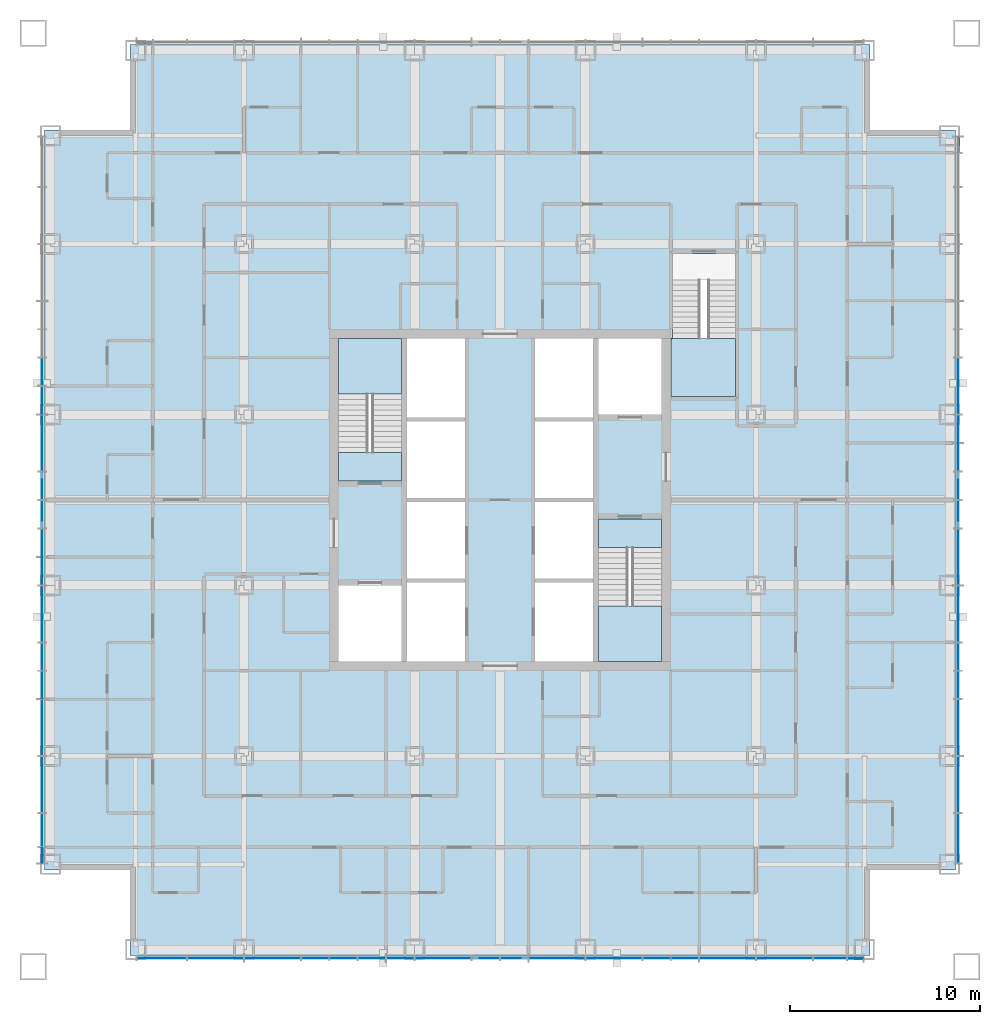
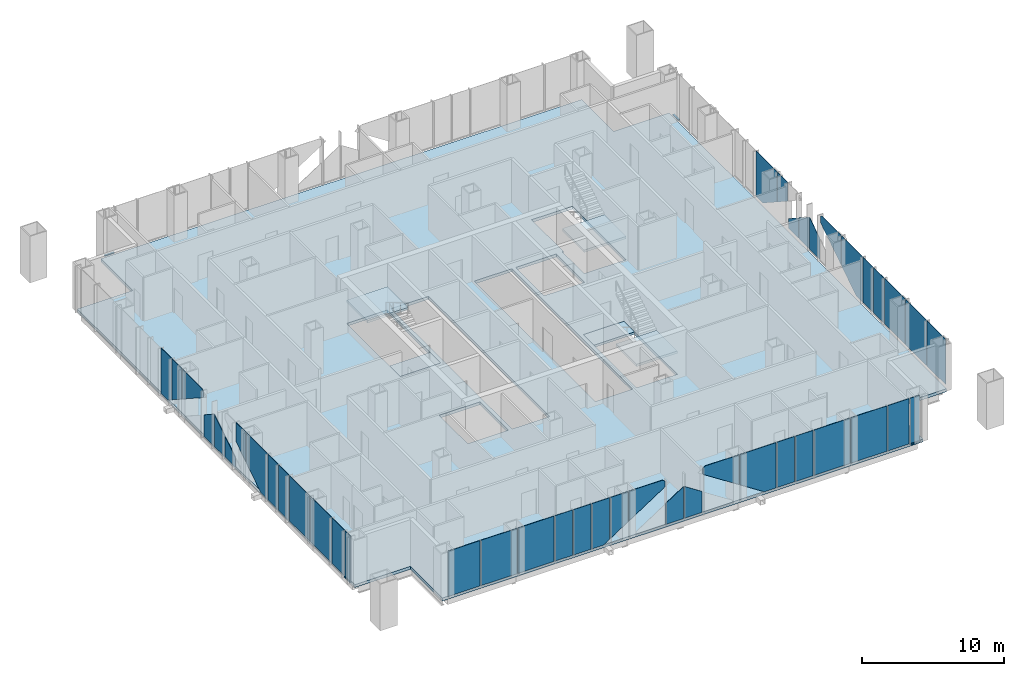
# One storey, part 7 of 16: 44 plates, 6 slabs, 4 members, 7 elements without a shape of their own.
"""IFC4 building model written with IfcOpenShell, lengths in metres."""

from ifc_helpers import new_model, si_unit, direction, frame, origin, origin_2d, place, context, subcontext, project, spatial, polyline, rectangle, outline, extrude, material, layer, layer_set, material_profile, profile_set, type_object, element, aggregate, save


model = new_model("IFC4")

# Units and contexts
model_context = context("Model", 3, precision=1e-05, world=origin(), true_north=direction((0.0, 1.0)))
body_context = subcontext(model_context, "Body", "Model", "MODEL_VIEW")
ifc_project = project(units=[si_unit("LENGTHUNIT", "METRE"), si_unit("AREAUNIT", "SQUARE_METRE"), si_unit("VOLUMEUNIT", "CUBIC_METRE"), si_unit("PLANEANGLEUNIT", "RADIAN"), si_unit("MASSUNIT", "GRAM", prefix="KILO")], contexts=[model_context])

# Site, building, storey
site_placement = place(None, origin())
site = spatial("IfcSite", under=ifc_project, at=site_placement, CompositionType="ELEMENT")
building_placement = place(site_placement, origin())
building = spatial("IfcBuilding", under=site, at=building_placement, Name="Malebo Sky Hospital", CompositionType="ELEMENT")
storey_placement = place(building_placement, frame((0.0, 0.0, 152.0)))
storey = spatial("IfcBuildingStorey", under=building, at=storey_placement, Name="L36", CompositionType="ELEMENT", Elevation=152.0)

# Curtain wall, member
ifc_material_1 = material(Name="Anodised aluminium, natural silver", Category="aluminium")
ifc_layer_1 = layer(ifc_material_1, 0.25)
ifc_layer_set_1 = layer_set([ifc_layer_1], Name="WARD CURTAIN WALL NORTH AND SOUTH")
curtain_wall_type_1 = type_object("IfcCurtainWallType", Name="WARD CURTAIN WALL NORTH AND SOUTH", PredefinedType="NOTDEFINED", material=ifc_layer_set_1)
curtain_wall_1_placement = place(storey_placement, origin())
curtain_wall_1 = element("IfcCurtainWall", 1, at=curtain_wall_1_placement, inside=storey, type_object=curtain_wall_type_1, Name="NS curtain wall N", PredefinedType="NOTDEFINED")
ifc_material_profile = material_profile(ifc_material_1, rectangle(XDim=0.14990234375, YDim=0.10009765625, at=origin_2d()), Name="ALUMINIUM TRANSOM 150x100")
ifc_profile_set = profile_set([ifc_material_profile], Name="Anodised aluminium, natural silver")
member_type = type_object("IfcMemberType", Name="ALUMINIUM TRANSOM 150x100", PredefinedType="USERDEFINED", material=ifc_profile_set)
member_1_placement = place(storey_placement, frame((40.875, 86.135009765625, 0.050048828125), z_axis=(1.0, 0.0, 0.0), x_axis=(0.0, 1.0, 0.0)))
member_1 = element("IfcMember", 2, at=member_1_placement, type_object=member_type, Name="Transom 1", ObjectType="TRANSOM", PredefinedType="USERDEFINED", context=body_context, shape_type="SweptSolid", body=[
    extrude(rectangle(XDim=0.14990234375, YDim=0.10009765625, at=origin_2d()), origin(), (0.0, 0.0, 1.0), 0.78759765625),
])
aggregate(curtain_wall_1, [member_1])

ifc_layer_2 = layer(ifc_material_1, 0.25)
ifc_layer_set_2 = layer_set([ifc_layer_2], Name="WARD CURTAIN WALL EAST AND WEST")
curtain_wall_type_2 = type_object("IfcCurtainWallType", Name="WARD CURTAIN WALL EAST AND WEST", PredefinedType="NOTDEFINED", material=ifc_layer_set_2)
curtain_wall_2_placement = place(storey_placement, origin())
curtain_wall_2 = element("IfcCurtainWall", 3, at=curtain_wall_2_placement, inside=storey, type_object=curtain_wall_type_2, Name="EW curtain wall W", PredefinedType="NOTDEFINED")
member_2_placement = place(storey_placement, frame((35.864990234375, 42.875, 0.050048828125), z_axis=(0.0, 1.0, 0.0), x_axis=(-1.0, 0.0, 0.0)))
member_2 = element("IfcMember", 4, at=member_2_placement, type_object=member_type, Name="Transom 1", ObjectType="TRANSOM", PredefinedType="USERDEFINED", context=body_context, shape_type="SweptSolid", body=[
    extrude(rectangle(XDim=0.14990234375, YDim=0.10009765625, at=origin_2d()), origin(), (0.0, 0.0, 1.0), 0.78759765625),
])

curtain_wall_3_placement = place(storey_placement, origin())
curtain_wall_3 = element("IfcCurtainWall", 5, at=curtain_wall_3_placement, inside=storey, type_object=curtain_wall_type_1, Name="NS curtain wall S", PredefinedType="NOTDEFINED")
member_3_placement = place(storey_placement, frame((79.125, 37.864990234375, 0.050048828125), z_axis=(-1.0, 0.0, 0.0), x_axis=(0.0, -1.0, 0.0)))
member_3 = element("IfcMember", 6, at=member_3_placement, type_object=member_type, Name="Transom 1", ObjectType="TRANSOM", PredefinedType="USERDEFINED", context=body_context, shape_type="SweptSolid", body=[
    extrude(rectangle(XDim=0.14990234375, YDim=0.10009765625, at=origin_2d()), origin(), (0.0, 0.0, 1.0), 0.78759765625),
])

curtain_wall_4_placement = place(storey_placement, origin())
curtain_wall_4 = element("IfcCurtainWall", 7, at=curtain_wall_4_placement, inside=storey, type_object=curtain_wall_type_2, Name="EW curtain wall E", PredefinedType="NOTDEFINED")
member_4_placement = place(storey_placement, frame((84.135009765625, 81.125, 0.050048828125), z_axis=(0.0, -1.0, 0.0), x_axis=(1.0, 0.0, 0.0)))
member_4 = element("IfcMember", 8, at=member_4_placement, type_object=member_type, Name="Transom 1", ObjectType="TRANSOM", PredefinedType="USERDEFINED", context=body_context, shape_type="SweptSolid", body=[
    extrude(rectangle(XDim=0.14990234375, YDim=0.10009765625, at=origin_2d()), origin(), (0.0, 0.0, 1.0), 0.78759765625),
])

# Slab
ifc_material_2 = material(Name="Concrete C40/50", Category="concrete")
ifc_layer_3 = layer(ifc_material_2, 0.25)
ifc_layer_set_3 = layer_set([ifc_layer_3], Name="COMPOSITE FLOOR SLAB 250")
slab_type_1 = type_object("IfcSlabType", Name="COMPOSITE FLOOR SLAB 250", PredefinedType="FLOOR", material=ifc_layer_set_3)
slab_1_placement = place(storey_placement, frame((0.0, 0.0, -0.25)))
element("IfcSlab", 9, at=slab_1_placement, inside=storey, type_object=slab_type_1, Name="Floor slab L36", PredefinedType="FLOOR", context=body_context, shape_type="SweptSolid", body=[
    extrude(outline(polyline([(40.5, 86.0), (40.5, 81.5), (36.0, 81.5), (36.0, 42.5), (40.5, 42.5), (40.5, 38.0), (79.5, 38.0), (79.5, 42.5), (84.0, 42.5), (84.0, 81.5), (79.5, 81.5), (79.5, 86.0), (40.5, 86.0)]), holes=[polyline([(55.10009765625, 70.5), (58.14990234375, 70.5), (58.14990234375, 53.5), (55.10009765625, 53.5), (55.10009765625, 70.5)]), polyline([(64.89990234375, 70.5), (64.89990234375, 53.5), (61.85009765625, 53.5), (61.85009765625, 70.5), (64.89990234375, 70.5)]), polyline([(54.800048828125, 63.0), (51.5, 63.0), (51.5, 70.5), (54.800048828125, 70.5), (54.800048828125, 63.0)]), polyline([(51.5, 53.5), (51.5, 57.5), (54.800048828125, 57.5), (54.800048828125, 53.5), (51.5, 53.5)]), polyline([(65.199951171875, 61.0), (68.5, 61.0), (68.5, 53.5), (65.199951171875, 53.5), (65.199951171875, 61.0)]), polyline([(68.5, 70.5), (68.5, 66.5), (65.199951171875, 66.5), (65.199951171875, 70.5), (68.5, 70.5)]), polyline([(69.0, 67.449951171875), (69.0, 70.52001953125), (69.10009765625, 70.52001953125), (69.10009765625, 75.0), (72.39990234375, 75.0), (72.39990234375, 67.449951171875), (69.10009765625, 67.449951171875), (69.0, 67.449951171875)])]), origin(), (0.0, 0.0, 1.0), 0.25),
])

# Stair, slabs
stair_type_1 = type_object("IfcStairType", Name="HALF-TURN STAIR 1500 R167", PredefinedType="HALF_TURN_STAIR", material=ifc_material_2)
stair_1_placement = place(storey_placement, origin())
stair_1 = element("IfcStair", 10, at=stair_1_placement, inside=storey, type_object=stair_type_1, Name="Stair S1 L36 type ST1", PredefinedType="HALF_TURN_STAIR")
ifc_layer_4 = layer(ifc_material_2, 0.199951171875)
ifc_layer_set_4 = layer_set([ifc_layer_4], Name="STAIR LANDING 200")
slab_type_2 = type_object("IfcSlabType", Name="STAIR LANDING 200", PredefinedType="LANDING", material=ifc_layer_set_4)
slab_2_placement = place(storey_placement, frame((0.0, 0.0, -0.199951171875)))
slab_2 = element("IfcSlab", 11, at=slab_2_placement, type_object=slab_type_2, Name="S1 landing 1", PredefinedType="LANDING", context=body_context, shape_type="SweptSolid", body=[
    extrude(outline(polyline([(51.5, 63.0), (54.800048828125, 63.0), (54.800048828125, 64.5), (51.5, 64.5), (51.5, 63.0)])), origin(), (0.0, 0.0, 1.0), 0.199951171875),
])
slab_3_placement = place(storey_placement, frame((0.0, 0.0, 1.800048828125)))
slab_3 = element("IfcSlab", 12, at=slab_3_placement, type_object=slab_type_2, Name="S1 landing 2", PredefinedType="LANDING", context=body_context, shape_type="SweptSolid", body=[
    extrude(outline(polyline([(51.5, 67.580078125), (54.800048828125, 67.580078125), (54.800048828125, 70.5), (51.5, 70.5), (51.5, 67.580078125)])), origin(), (0.0, 0.0, 1.0), 0.199951171875),
])
aggregate(stair_1, [slab_2, slab_3])

stair_2_placement = place(storey_placement, origin())
stair_2 = element("IfcStair", 13, at=stair_2_placement, inside=storey, type_object=stair_type_1, Name="Stair S2 L36 type ST1", PredefinedType="HALF_TURN_STAIR")
slab_4_placement = place(storey_placement, frame((0.0, 0.0, -0.199951171875)))
slab_4 = element("IfcSlab", 14, at=slab_4_placement, type_object=slab_type_2, Name="S2 landing 1", PredefinedType="LANDING", context=body_context, shape_type="SweptSolid", body=[
    extrude(outline(polyline([(65.199951171875, 59.5), (68.5, 59.5), (68.5, 61.0), (65.199951171875, 61.0), (65.199951171875, 59.5)])), origin(), (0.0, 0.0, 1.0), 0.199951171875),
])
slab_5_placement = place(storey_placement, frame((0.0, 0.0, 1.800048828125)))
slab_5 = element("IfcSlab", 15, at=slab_5_placement, type_object=slab_type_2, Name="S2 landing 2", PredefinedType="LANDING", context=body_context, shape_type="SweptSolid", body=[
    extrude(outline(polyline([(65.199951171875, 53.5), (68.5, 53.5), (68.5, 56.419921875), (65.199951171875, 56.419921875), (65.199951171875, 53.5)])), origin(), (0.0, 0.0, 1.0), 0.199951171875),
])
aggregate(stair_2, [slab_4, slab_5])

# Stair, slab
stair_type_2 = type_object("IfcStairType", Name="HALF-TURN STAIR 1400 R167", PredefinedType="HALF_TURN_STAIR", material=ifc_material_2)
stair_3_placement = place(storey_placement, origin())
stair_3 = element("IfcStair", 16, at=stair_3_placement, inside=storey, type_object=stair_type_2, Name="Stair S3 L36 type ST1B", PredefinedType="HALF_TURN_STAIR")
slab_6_placement = place(storey_placement, frame((0.0, 0.0, 1.800048828125)))
slab_6 = element("IfcSlab", 17, at=slab_6_placement, type_object=slab_type_2, Name="S3 landing 2", PredefinedType="LANDING", context=body_context, shape_type="SweptSolid", body=[
    extrude(outline(polyline([(69.0, 67.449951171875), (72.39990234375, 67.449951171875), (72.39990234375, 70.52001953125), (69.0, 70.52001953125), (69.0, 67.449951171875)])), origin(), (0.0, 0.0, 1.0), 0.199951171875),
])
aggregate(stair_3, [slab_6])

# Plate
ifc_material_3 = material(Name="Clear low-iron double glazing", Category="glass")
ifc_layer_5 = layer(ifc_material_3, 0.031982421875)
ifc_layer_set_5 = layer_set([ifc_layer_5], Name="VISION PANEL CLEAR 32")
plate_type = type_object("IfcPlateType", Name="VISION PANEL CLEAR 32", PredefinedType="CURTAIN_PANEL", material=ifc_layer_set_5)
plate_1_placement = place(storey_placement, frame((35.864990234375, 43.268798828125, 0.10009765625), z_axis=(0.0, 0.0, 1.0), x_axis=(0.0, 1.0, 0.0)))
plate_1 = element("IfcPlate", 18, at=plate_1_placement, type_object=plate_type, Name="Panel 1", PredefinedType="CURTAIN_PANEL", context=body_context, shape_type="SweptSolid", body=[
    extrude(rectangle(XDim=0.78759765625, YDim=0.031982421875, at=origin_2d()), origin(), (0.0, 0.0, 1.0), 3.889892578125),
])

plate_2_placement = place(storey_placement, frame((35.864990234375, 44.60009765625, 0.10009765625), z_axis=(0.0, 0.0, 1.0), x_axis=(0.0, 1.0, 0.0)))
plate_2 = element("IfcPlate", 19, at=plate_2_placement, type_object=plate_type, Name="Panel 2", PredefinedType="CURTAIN_PANEL", context=body_context, shape_type="SweptSolid", body=[
    extrude(rectangle(XDim=1.72509765625, YDim=0.031982421875, at=origin_2d()), origin(), (0.0, 0.0, 1.0), 3.889892578125),
])

plate_3_placement = place(storey_placement, frame((35.864990234375, 47.0, 0.10009765625), z_axis=(0.0, 0.0, 1.0), x_axis=(0.0, 1.0, 0.0)))
plate_3 = element("IfcPlate", 20, at=plate_3_placement, type_object=plate_type, Name="Panel 3", PredefinedType="CURTAIN_PANEL", context=body_context, shape_type="SweptSolid", body=[
    extrude(rectangle(XDim=2.925048828125, YDim=0.031982421875, at=origin_2d()), origin(), (0.0, 0.0, 1.0), 3.889892578125),
])

plate_4_placement = place(storey_placement, frame((35.864990234375, 50.0, 0.10009765625), z_axis=(0.0, 0.0, 1.0), x_axis=(0.0, 1.0, 0.0)))
plate_4 = element("IfcPlate", 21, at=plate_4_placement, type_object=plate_type, Name="Panel 4", PredefinedType="CURTAIN_PANEL", context=body_context, shape_type="SweptSolid", body=[
    extrude(rectangle(XDim=2.925048828125, YDim=0.031982421875, at=origin_2d()), origin(), (0.0, 0.0, 1.0), 3.889892578125),
])

plate_5_placement = place(storey_placement, frame((35.864990234375, 52.25, 0.10009765625), z_axis=(0.0, 0.0, 1.0), x_axis=(0.0, 1.0, 0.0)))
plate_5 = element("IfcPlate", 22, at=plate_5_placement, type_object=plate_type, Name="Panel 5", PredefinedType="CURTAIN_PANEL", context=body_context, shape_type="SweptSolid", body=[
    extrude(rectangle(XDim=1.425048828125, YDim=0.031982421875, at=origin_2d()), origin(), (0.0, 0.0, 1.0), 3.889892578125),
])

plate_6_placement = place(storey_placement, frame((35.864990234375, 53.75, 0.10009765625), z_axis=(0.0, 0.0, 1.0), x_axis=(0.0, 1.0, 0.0)))
plate_6 = element("IfcPlate", 23, at=plate_6_placement, type_object=plate_type, Name="Panel 6", PredefinedType="CURTAIN_PANEL", context=body_context, shape_type="SweptSolid", body=[
    extrude(rectangle(XDim=1.425048828125, YDim=0.031982421875, at=origin_2d()), origin(), (0.0, 0.0, 1.0), 3.889892578125),
])

plate_7_placement = place(storey_placement, frame((35.864990234375, 56.0, 0.10009765625), z_axis=(0.0, 0.0, 1.0), x_axis=(0.0, 1.0, 0.0)))
plate_7 = element("IfcPlate", 24, at=plate_7_placement, type_object=plate_type, Name="Panel 7", PredefinedType="CURTAIN_PANEL", context=body_context, shape_type="SweptSolid", body=[
    extrude(outline(polyline([(-1.46240234375, 0.0), (-0.52880859375, 0.0), (1.46240234375, 1.295166015625), (1.46240234375, 3.889892578125), (-1.46240234375, 3.889892578125), (-1.46240234375, 0.0)])), frame((0.0, 0.01611328125, 0.0), z_axis=(0.0, -1.0, 0.0), x_axis=(1.0, 0.0, 0.0)), (0.0, 0.0, 1.0), 0.031982421875),
])

plate_8_placement = place(storey_placement, frame((35.864990234375, 58.25, 1.44384765625), z_axis=(0.0, 0.0, 1.0), x_axis=(0.0, 1.0, 0.0)))
plate_8 = element("IfcPlate", 25, at=plate_8_placement, type_object=plate_type, Name="Panel 8", PredefinedType="CURTAIN_PANEL", context=body_context, shape_type="SweptSolid", body=[
    extrude(outline(polyline([(-0.71240234375, 0.0), (0.71240234375, 0.927001953125), (0.71240234375, 2.546142578125), (-0.71240234375, 2.546142578125), (-0.71240234375, 0.0)])), frame((0.0, 0.01611328125, 0.0), z_axis=(0.0, -1.0, 0.0), x_axis=(1.0, 0.0, 0.0)), (0.0, 0.0, 1.0), 0.031982421875),
])

plate_9_placement = place(storey_placement, frame((35.864990234375, 59.75, 0.10009765625), z_axis=(0.0, 0.0, 1.0), x_axis=(0.0, 1.0, 0.0)))
plate_9 = element("IfcPlate", 26, at=plate_9_placement, type_object=plate_type, Name="Panel 9", PredefinedType="CURTAIN_PANEL", context=body_context, shape_type="SweptSolid", body=[
    extrude(outline(polyline([(-0.71240234375, 0.0), (0.71240234375, 0.0), (0.71240234375, 1.75390625), (-0.71240234375, 0.8271484375), (-0.71240234375, 0.0)])), frame((0.0, 0.01611328125, 0.0), z_axis=(0.0, -1.0, 0.0), x_axis=(1.0, 0.0, 0.0)), (0.0, 0.0, 1.0), 0.031982421875),
])

plate_10_placement = place(storey_placement, frame((35.864990234375, 61.25, 0.10009765625), z_axis=(0.0, 0.0, 1.0), x_axis=(0.0, 1.0, 0.0)))
plate_10 = element("IfcPlate", 27, at=plate_10_placement, type_object=plate_type, Name="Panel 10", PredefinedType="CURTAIN_PANEL", context=body_context, shape_type="SweptSolid", body=[
    extrude(outline(polyline([(-0.71240234375, 0.0), (0.71240234375, 0.0), (0.71240234375, 2.7294921875), (-0.71240234375, 1.802734375), (-0.71240234375, 0.0)])), frame((0.0, 0.01611328125, 0.0), z_axis=(0.0, -1.0, 0.0), x_axis=(1.0, 0.0, 0.0)), (0.0, 0.0, 1.0), 0.031982421875),
])

plate_11_placement = place(storey_placement, frame((35.864990234375, 62.75, 0.10009765625), z_axis=(0.0, 0.0, 1.0), x_axis=(0.0, 1.0, 0.0)))
plate_11 = element("IfcPlate", 28, at=plate_11_placement, type_object=plate_type, Name="Panel 11", PredefinedType="CURTAIN_PANEL", context=body_context, shape_type="SweptSolid", body=[
    extrude(outline(polyline([(-0.71240234375, 0.0), (0.71240234375, 0.0), (0.71240234375, 1.802734375), (-0.71240234375, 2.7294921875), (-0.71240234375, 0.0)])), frame((0.0, 0.01611328125, 0.0), z_axis=(0.0, -1.0, 0.0), x_axis=(1.0, 0.0, 0.0)), (0.0, 0.0, 1.0), 0.031982421875),
])

plate_12_placement = place(storey_placement, frame((35.864990234375, 65.0, 1.44384765625), z_axis=(0.0, 0.0, 1.0), x_axis=(0.0, 1.0, 0.0)))
plate_12 = element("IfcPlate", 29, at=plate_12_placement, type_object=plate_type, Name="Panel 12", PredefinedType="CURTAIN_PANEL", context=body_context, shape_type="SweptSolid", body=[
    extrude(outline(polyline([(1.46240234375, 0.0), (1.46240234375, 2.546142578125), (-1.25341796875, 2.546142578125), (-1.46240234375, 2.41015625), (-1.46240234375, 1.902587890625), (1.46240234375, 0.0)])), frame((0.0, 0.01611328125, 0.0), z_axis=(0.0, -1.0, 0.0), x_axis=(1.0, 0.0, 0.0)), (0.0, 0.0, 1.0), 0.031982421875),
])

plate_13_placement = place(storey_placement, frame((35.864990234375, 67.25, 0.46826171875), z_axis=(0.0, 0.0, 1.0), x_axis=(0.0, 1.0, 0.0)))
plate_13 = element("IfcPlate", 30, at=plate_13_placement, type_object=plate_type, Name="Panel 13", PredefinedType="CURTAIN_PANEL", context=body_context, shape_type="SweptSolid", body=[
    extrude(outline(polyline([(0.71240234375, 0.0), (0.71240234375, 3.521728515625), (-0.71240234375, 3.521728515625), (-0.71240234375, 0.927001953125), (0.71240234375, 0.0)])), frame((0.0, 0.01611328125, 0.0), z_axis=(0.0, -1.0, 0.0), x_axis=(1.0, 0.0, 0.0)), (0.0, 0.0, 1.0), 0.031982421875),
])

plate_14_placement = place(storey_placement, frame((35.864990234375, 68.75, 0.10009765625), z_axis=(0.0, 0.0, 1.0), x_axis=(0.0, 1.0, 0.0)))
plate_14 = element("IfcPlate", 31, at=plate_14_placement, type_object=plate_type, Name="Panel 14", PredefinedType="CURTAIN_PANEL", context=body_context, shape_type="SweptSolid", body=[
    extrude(outline(polyline([(-0.22119140625, 0.0), (0.71240234375, 0.0), (0.71240234375, 3.889892578125), (-0.71240234375, 3.889892578125), (-0.71240234375, 0.3193359375), (-0.22119140625, 0.0)])), frame((0.0, 0.01611328125, 0.0), z_axis=(0.0, -1.0, 0.0), x_axis=(1.0, 0.0, 0.0)), (0.0, 0.0, 1.0), 0.031982421875),
])

aggregate(curtain_wall_2, [member_2, plate_1, plate_2, plate_3, plate_4, plate_5, plate_6, plate_7, plate_8, plate_9, plate_10, plate_11, plate_12, plate_13, plate_14])

plate_15_placement = place(storey_placement, frame((78.731201171875, 37.864990234375, 0.10009765625), z_axis=(0.0, 0.0, 1.0), x_axis=(-1.0, 0.0, 0.0)))
plate_15 = element("IfcPlate", 32, at=plate_15_placement, type_object=plate_type, Name="Panel 1", PredefinedType="CURTAIN_PANEL", context=body_context, shape_type="SweptSolid", body=[
    extrude(rectangle(XDim=0.78759765625, YDim=0.031982421875, at=origin_2d()), origin(), (0.0, 0.0, 1.0), 3.889892578125),
])

plate_16_placement = place(storey_placement, frame((77.39990234375, 37.864990234375, 0.10009765625), z_axis=(0.0, 0.0, 1.0), x_axis=(-1.0, 0.0, 0.0)))
plate_16 = element("IfcPlate", 33, at=plate_16_placement, type_object=plate_type, Name="Panel 2", PredefinedType="CURTAIN_PANEL", context=body_context, shape_type="SweptSolid", body=[
    extrude(rectangle(XDim=1.72509765625, YDim=0.031982421875, at=origin_2d()), origin(), (0.0, 0.0, 1.0), 3.889892578125),
])

plate_17_placement = place(storey_placement, frame((75.0, 37.864990234375, 0.10009765625), z_axis=(0.0, 0.0, 1.0), x_axis=(-1.0, 0.0, 0.0)))
plate_17 = element("IfcPlate", 34, at=plate_17_placement, type_object=plate_type, Name="Panel 3", PredefinedType="CURTAIN_PANEL", context=body_context, shape_type="SweptSolid", body=[
    extrude(rectangle(XDim=2.925048828125, YDim=0.031982421875, at=origin_2d()), origin(), (0.0, 0.0, 1.0), 3.889892578125),
])

plate_18_placement = place(storey_placement, frame((72.0, 37.864990234375, 0.10009765625), z_axis=(0.0, 0.0, 1.0), x_axis=(-1.0, 0.0, 0.0)))
plate_18 = element("IfcPlate", 35, at=plate_18_placement, type_object=plate_type, Name="Panel 4", PredefinedType="CURTAIN_PANEL", context=body_context, shape_type="SweptSolid", body=[
    extrude(rectangle(XDim=2.925048828125, YDim=0.031982421875, at=origin_2d()), origin(), (0.0, 0.0, 1.0), 3.889892578125),
])

plate_19_placement = place(storey_placement, frame((69.75, 37.864990234375, 0.10009765625), z_axis=(0.0, 0.0, 1.0), x_axis=(-1.0, 0.0, 0.0)))
plate_19 = element("IfcPlate", 36, at=plate_19_placement, type_object=plate_type, Name="Panel 5", PredefinedType="CURTAIN_PANEL", context=body_context, shape_type="SweptSolid", body=[
    extrude(rectangle(XDim=1.425048828125, YDim=0.031982421875, at=origin_2d()), origin(), (0.0, 0.0, 1.0), 3.889892578125),
])

plate_20_placement = place(storey_placement, frame((68.25, 37.864990234375, 0.10009765625), z_axis=(0.0, 0.0, 1.0), x_axis=(-1.0, 0.0, 0.0)))
plate_20 = element("IfcPlate", 37, at=plate_20_placement, type_object=plate_type, Name="Panel 6", PredefinedType="CURTAIN_PANEL", context=body_context, shape_type="SweptSolid", body=[
    extrude(rectangle(XDim=1.425048828125, YDim=0.031982421875, at=origin_2d()), origin(), (0.0, 0.0, 1.0), 3.889892578125),
])

plate_21_placement = place(storey_placement, frame((66.0, 37.864990234375, 0.10009765625), z_axis=(0.0, 0.0, 1.0), x_axis=(-1.0, 0.0, 0.0)))
plate_21 = element("IfcPlate", 38, at=plate_21_placement, type_object=plate_type, Name="Panel 7", PredefinedType="CURTAIN_PANEL", context=body_context, shape_type="SweptSolid", body=[
    extrude(outline(polyline([(-1.46240234375, 0.0), (-0.52880859375, 0.0), (1.46240234375, 1.295166015625), (1.46240234375, 3.889892578125), (-1.46240234375, 3.889892578125), (-1.46240234375, 0.0)])), frame((0.0, 0.01611328125, 0.0), z_axis=(0.0, -1.0, 0.0), x_axis=(1.0, 0.0, 0.0)), (0.0, 0.0, 1.0), 0.031982421875),
])

plate_22_placement = place(storey_placement, frame((63.0, 37.864990234375, 1.44384765625), z_axis=(0.0, 0.0, 1.0), x_axis=(-1.0, 0.0, 0.0)))
plate_22 = element("IfcPlate", 39, at=plate_22_placement, type_object=plate_type, Name="Panel 8", PredefinedType="CURTAIN_PANEL", context=body_context, shape_type="SweptSolid", body=[
    extrude(outline(polyline([(-1.46240234375, 0.0), (1.46240234375, 1.902587890625), (1.46240234375, 2.41015625), (1.25341796875, 2.546142578125), (-1.46240234375, 2.546142578125), (-1.46240234375, 0.0)])), frame((0.0, 0.01611328125, 0.0), z_axis=(0.0, -1.0, 0.0), x_axis=(1.0, 0.0, 0.0)), (0.0, 0.0, 1.0), 0.031982421875),
])

plate_23_placement = place(storey_placement, frame((60.75, 37.864990234375, 0.10009765625), z_axis=(0.0, 0.0, 1.0), x_axis=(-1.0, 0.0, 0.0)))
plate_23 = element("IfcPlate", 40, at=plate_23_placement, type_object=plate_type, Name="Panel 9", PredefinedType="CURTAIN_PANEL", context=body_context, shape_type="SweptSolid", body=[
    extrude(outline(polyline([(-0.71240234375, 0.0), (0.71240234375, 0.0), (0.71240234375, 2.7294921875), (-0.71240234375, 1.802734375), (-0.71240234375, 0.0)])), frame((0.0, 0.01611328125, 0.0), z_axis=(0.0, -1.0, 0.0), x_axis=(1.0, 0.0, 0.0)), (0.0, 0.0, 1.0), 0.031982421875),
])

plate_24_placement = place(storey_placement, frame((59.25, 37.864990234375, 0.10009765625), z_axis=(0.0, 0.0, 1.0), x_axis=(-1.0, 0.0, 0.0)))
plate_24 = element("IfcPlate", 41, at=plate_24_placement, type_object=plate_type, Name="Panel 10", PredefinedType="CURTAIN_PANEL", context=body_context, shape_type="SweptSolid", body=[
    extrude(outline(polyline([(-0.71240234375, 0.0), (0.71240234375, 0.0), (0.71240234375, 1.802734375), (-0.71240234375, 2.7294921875), (-0.71240234375, 0.0)])), frame((0.0, 0.01611328125, 0.0), z_axis=(0.0, -1.0, 0.0), x_axis=(1.0, 0.0, 0.0)), (0.0, 0.0, 1.0), 0.031982421875),
])

plate_25_placement = place(storey_placement, frame((57.0, 37.864990234375, 1.44384765625), z_axis=(0.0, 0.0, 1.0), x_axis=(-1.0, 0.0, 0.0)))
plate_25 = element("IfcPlate", 42, at=plate_25_placement, type_object=plate_type, Name="Panel 11", PredefinedType="CURTAIN_PANEL", context=body_context, shape_type="SweptSolid", body=[
    extrude(outline(polyline([(1.46240234375, 0.0), (1.46240234375, 2.546142578125), (-1.25341796875, 2.546142578125), (-1.46240234375, 2.41015625), (-1.46240234375, 1.902587890625), (1.46240234375, 0.0)])), frame((0.0, 0.01611328125, 0.0), z_axis=(0.0, -1.0, 0.0), x_axis=(1.0, 0.0, 0.0)), (0.0, 0.0, 1.0), 0.031982421875),
])

plate_26_placement = place(storey_placement, frame((54.75, 37.864990234375, 0.46826171875), z_axis=(0.0, 0.0, 1.0), x_axis=(-1.0, 0.0, 0.0)))
plate_26 = element("IfcPlate", 43, at=plate_26_placement, type_object=plate_type, Name="Panel 12", PredefinedType="CURTAIN_PANEL", context=body_context, shape_type="SweptSolid", body=[
    extrude(outline(polyline([(0.71240234375, 0.0), (0.71240234375, 3.521728515625), (-0.71240234375, 3.521728515625), (-0.71240234375, 0.927001953125), (0.71240234375, 0.0)])), frame((0.0, 0.01611328125, 0.0), z_axis=(0.0, -1.0, 0.0), x_axis=(1.0, 0.0, 0.0)), (0.0, 0.0, 1.0), 0.031982421875),
])

plate_27_placement = place(storey_placement, frame((53.25, 37.864990234375, 0.10009765625), z_axis=(0.0, 0.0, 1.0), x_axis=(-1.0, 0.0, 0.0)))
plate_27 = element("IfcPlate", 44, at=plate_27_placement, type_object=plate_type, Name="Panel 13", PredefinedType="CURTAIN_PANEL", context=body_context, shape_type="SweptSolid", body=[
    extrude(outline(polyline([(-0.22119140625, 0.0), (0.71240234375, 0.0), (0.71240234375, 3.889892578125), (-0.71240234375, 3.889892578125), (-0.71240234375, 0.3193359375), (-0.22119140625, 0.0)])), frame((0.0, 0.01611328125, 0.0), z_axis=(0.0, -1.0, 0.0), x_axis=(1.0, 0.0, 0.0)), (0.0, 0.0, 1.0), 0.031982421875),
])

plate_28_placement = place(storey_placement, frame((51.75, 37.864990234375, 0.10009765625), z_axis=(0.0, 0.0, 1.0), x_axis=(-1.0, 0.0, 0.0)))
plate_28 = element("IfcPlate", 45, at=plate_28_placement, type_object=plate_type, Name="Panel 14", PredefinedType="CURTAIN_PANEL", context=body_context, shape_type="SweptSolid", body=[
    extrude(rectangle(XDim=1.425048828125, YDim=0.031982421875, at=origin_2d()), origin(), (0.0, 0.0, 1.0), 3.889892578125),
])

plate_29_placement = place(storey_placement, frame((50.25, 37.864990234375, 0.10009765625), z_axis=(0.0, 0.0, 1.0), x_axis=(-1.0, 0.0, 0.0)))
plate_29 = element("IfcPlate", 46, at=plate_29_placement, type_object=plate_type, Name="Panel 15", PredefinedType="CURTAIN_PANEL", context=body_context, shape_type="SweptSolid", body=[
    extrude(rectangle(XDim=1.425048828125, YDim=0.031982421875, at=origin_2d()), origin(), (0.0, 0.0, 1.0), 3.889892578125),
])

plate_30_placement = place(storey_placement, frame((48.0, 37.864990234375, 0.10009765625), z_axis=(0.0, 0.0, 1.0), x_axis=(-1.0, 0.0, 0.0)))
plate_30 = element("IfcPlate", 47, at=plate_30_placement, type_object=plate_type, Name="Panel 16", PredefinedType="CURTAIN_PANEL", context=body_context, shape_type="SweptSolid", body=[
    extrude(rectangle(XDim=2.925048828125, YDim=0.031982421875, at=origin_2d()), origin(), (0.0, 0.0, 1.0), 3.889892578125),
])

plate_31_placement = place(storey_placement, frame((45.0, 37.864990234375, 0.10009765625), z_axis=(0.0, 0.0, 1.0), x_axis=(-1.0, 0.0, 0.0)))
plate_31 = element("IfcPlate", 48, at=plate_31_placement, type_object=plate_type, Name="Panel 17", PredefinedType="CURTAIN_PANEL", context=body_context, shape_type="SweptSolid", body=[
    extrude(rectangle(XDim=2.925048828125, YDim=0.031982421875, at=origin_2d()), origin(), (0.0, 0.0, 1.0), 3.889892578125),
])

plate_32_placement = place(storey_placement, frame((42.168701171875, 37.864990234375, 0.10009765625), z_axis=(0.0, 0.0, 1.0), x_axis=(-1.0, 0.0, 0.0)))
plate_32 = element("IfcPlate", 49, at=plate_32_placement, type_object=plate_type, Name="Panel 18", PredefinedType="CURTAIN_PANEL", context=body_context, shape_type="SweptSolid", body=[
    extrude(rectangle(XDim=2.58740234375, YDim=0.031982421875, at=origin_2d()), origin(), (0.0, 0.0, 1.0), 3.889892578125),
])

aggregate(curtain_wall_3, [member_3, plate_15, plate_16, plate_17, plate_18, plate_19, plate_20, plate_21, plate_22, plate_23, plate_24, plate_25, plate_26, plate_27, plate_28, plate_29, plate_30, plate_31, plate_32])

plate_33_placement = place(storey_placement, frame((84.135009765625, 68.0, 0.10009765625), z_axis=(0.0, 0.0, 1.0), x_axis=(0.0, -1.0, 0.0)))
plate_33 = element("IfcPlate", 50, at=plate_33_placement, type_object=plate_type, Name="Panel 7", PredefinedType="CURTAIN_PANEL", context=body_context, shape_type="SweptSolid", body=[
    extrude(outline(polyline([(-1.46240234375, 0.0), (-0.52880859375, 0.0), (1.46240234375, 1.295166015625), (1.46240234375, 3.889892578125), (-1.46240234375, 3.889892578125), (-1.46240234375, 0.0)])), frame((0.0, 0.01611328125, 0.0), z_axis=(0.0, -1.0, 0.0), x_axis=(1.0, 0.0, 0.0)), (0.0, 0.0, 1.0), 0.031982421875),
])

plate_34_placement = place(storey_placement, frame((84.135009765625, 65.75, 1.44384765625), z_axis=(0.0, 0.0, 1.0), x_axis=(0.0, -1.0, 0.0)))
plate_34 = element("IfcPlate", 51, at=plate_34_placement, type_object=plate_type, Name="Panel 8", PredefinedType="CURTAIN_PANEL", context=body_context, shape_type="SweptSolid", body=[
    extrude(outline(polyline([(-0.71240234375, 0.0), (0.71240234375, 0.927001953125), (0.71240234375, 2.546142578125), (-0.71240234375, 2.546142578125), (-0.71240234375, 0.0)])), frame((0.0, 0.01611328125, 0.0), z_axis=(0.0, -1.0, 0.0), x_axis=(1.0, 0.0, 0.0)), (0.0, 0.0, 1.0), 0.031982421875),
])

plate_35_placement = place(storey_placement, frame((84.135009765625, 64.25, 0.10009765625), z_axis=(0.0, 0.0, 1.0), x_axis=(0.0, -1.0, 0.0)))
plate_35 = element("IfcPlate", 52, at=plate_35_placement, type_object=plate_type, Name="Panel 9", PredefinedType="CURTAIN_PANEL", context=body_context, shape_type="SweptSolid", body=[
    extrude(outline(polyline([(-0.71240234375, 0.0), (0.71240234375, 0.0), (0.71240234375, 1.75390625), (-0.71240234375, 0.8271484375), (-0.71240234375, 0.0)])), frame((0.0, 0.01611328125, 0.0), z_axis=(0.0, -1.0, 0.0), x_axis=(1.0, 0.0, 0.0)), (0.0, 0.0, 1.0), 0.031982421875),
])

plate_36_placement = place(storey_placement, frame((84.135009765625, 62.75, 0.10009765625), z_axis=(0.0, 0.0, 1.0), x_axis=(0.0, -1.0, 0.0)))
plate_36 = element("IfcPlate", 53, at=plate_36_placement, type_object=plate_type, Name="Panel 10", PredefinedType="CURTAIN_PANEL", context=body_context, shape_type="SweptSolid", body=[
    extrude(outline(polyline([(-0.71240234375, 0.0), (0.71240234375, 0.0), (0.71240234375, 2.7294921875), (-0.71240234375, 1.802734375), (-0.71240234375, 0.0)])), frame((0.0, 0.01611328125, 0.0), z_axis=(0.0, -1.0, 0.0), x_axis=(1.0, 0.0, 0.0)), (0.0, 0.0, 1.0), 0.031982421875),
])

plate_37_placement = place(storey_placement, frame((84.135009765625, 61.25, 0.10009765625), z_axis=(0.0, 0.0, 1.0), x_axis=(0.0, -1.0, 0.0)))
plate_37 = element("IfcPlate", 54, at=plate_37_placement, type_object=plate_type, Name="Panel 11", PredefinedType="CURTAIN_PANEL", context=body_context, shape_type="SweptSolid", body=[
    extrude(outline(polyline([(-0.71240234375, 0.0), (0.71240234375, 0.0), (0.71240234375, 1.802734375), (-0.71240234375, 2.7294921875), (-0.71240234375, 0.0)])), frame((0.0, 0.01611328125, 0.0), z_axis=(0.0, -1.0, 0.0), x_axis=(1.0, 0.0, 0.0)), (0.0, 0.0, 1.0), 0.031982421875),
])

plate_38_placement = place(storey_placement, frame((84.135009765625, 59.0, 1.44384765625), z_axis=(0.0, 0.0, 1.0), x_axis=(0.0, -1.0, 0.0)))
plate_38 = element("IfcPlate", 55, at=plate_38_placement, type_object=plate_type, Name="Panel 12", PredefinedType="CURTAIN_PANEL", context=body_context, shape_type="SweptSolid", body=[
    extrude(outline(polyline([(1.46240234375, 0.0), (1.46240234375, 2.546142578125), (-1.25341796875, 2.546142578125), (-1.46240234375, 2.41015625), (-1.46240234375, 1.902587890625), (1.46240234375, 0.0)])), frame((0.0, 0.01611328125, 0.0), z_axis=(0.0, -1.0, 0.0), x_axis=(1.0, 0.0, 0.0)), (0.0, 0.0, 1.0), 0.031982421875),
])

plate_39_placement = place(storey_placement, frame((84.135009765625, 56.0, 0.10009765625), z_axis=(0.0, 0.0, 1.0), x_axis=(0.0, -1.0, 0.0)))
plate_39 = element("IfcPlate", 56, at=plate_39_placement, type_object=plate_type, Name="Panel 13", PredefinedType="CURTAIN_PANEL", context=body_context, shape_type="SweptSolid", body=[
    extrude(outline(polyline([(0.52880859375, 0.0), (1.46240234375, 0.0), (1.46240234375, 3.889892578125), (-1.46240234375, 3.889892578125), (-1.46240234375, 1.295166015625), (0.52880859375, 0.0)])), frame((0.0, 0.01611328125, 0.0), z_axis=(0.0, -1.0, 0.0), x_axis=(1.0, 0.0, 0.0)), (0.0, 0.0, 1.0), 0.031982421875),
])

plate_40_placement = place(storey_placement, frame((84.135009765625, 53.75, 0.10009765625), z_axis=(0.0, 0.0, 1.0), x_axis=(0.0, -1.0, 0.0)))
plate_40 = element("IfcPlate", 57, at=plate_40_placement, type_object=plate_type, Name="Panel 14", PredefinedType="CURTAIN_PANEL", context=body_context, shape_type="SweptSolid", body=[
    extrude(rectangle(XDim=1.425048828125, YDim=0.031982421875, at=origin_2d()), origin(), (0.0, 0.0, 1.0), 3.889892578125),
])

plate_41_placement = place(storey_placement, frame((84.135009765625, 52.25, 0.10009765625), z_axis=(0.0, 0.0, 1.0), x_axis=(0.0, -1.0, 0.0)))
plate_41 = element("IfcPlate", 58, at=plate_41_placement, type_object=plate_type, Name="Panel 15", PredefinedType="CURTAIN_PANEL", context=body_context, shape_type="SweptSolid", body=[
    extrude(rectangle(XDim=1.425048828125, YDim=0.031982421875, at=origin_2d()), origin(), (0.0, 0.0, 1.0), 3.889892578125),
])

plate_42_placement = place(storey_placement, frame((84.135009765625, 50.0, 0.10009765625), z_axis=(0.0, 0.0, 1.0), x_axis=(0.0, -1.0, 0.0)))
plate_42 = element("IfcPlate", 59, at=plate_42_placement, type_object=plate_type, Name="Panel 16", PredefinedType="CURTAIN_PANEL", context=body_context, shape_type="SweptSolid", body=[
    extrude(rectangle(XDim=2.925048828125, YDim=0.031982421875, at=origin_2d()), origin(), (0.0, 0.0, 1.0), 3.889892578125),
])

plate_43_placement = place(storey_placement, frame((84.135009765625, 47.0, 0.10009765625), z_axis=(0.0, 0.0, 1.0), x_axis=(0.0, -1.0, 0.0)))
plate_43 = element("IfcPlate", 60, at=plate_43_placement, type_object=plate_type, Name="Panel 17", PredefinedType="CURTAIN_PANEL", context=body_context, shape_type="SweptSolid", body=[
    extrude(rectangle(XDim=2.925048828125, YDim=0.031982421875, at=origin_2d()), origin(), (0.0, 0.0, 1.0), 3.889892578125),
])

plate_44_placement = place(storey_placement, frame((84.135009765625, 44.168701171875, 0.10009765625), z_axis=(0.0, 0.0, 1.0), x_axis=(0.0, -1.0, 0.0)))
plate_44 = element("IfcPlate", 61, at=plate_44_placement, type_object=plate_type, Name="Panel 18", PredefinedType="CURTAIN_PANEL", context=body_context, shape_type="SweptSolid", body=[
    extrude(rectangle(XDim=2.58740234375, YDim=0.031982421875, at=origin_2d()), origin(), (0.0, 0.0, 1.0), 3.889892578125),
])

aggregate(curtain_wall_4, [member_4, plate_33, plate_34, plate_35, plate_36, plate_37, plate_38, plate_39, plate_40, plate_41, plate_42, plate_43, plate_44])

save(model, "model.ifc")
